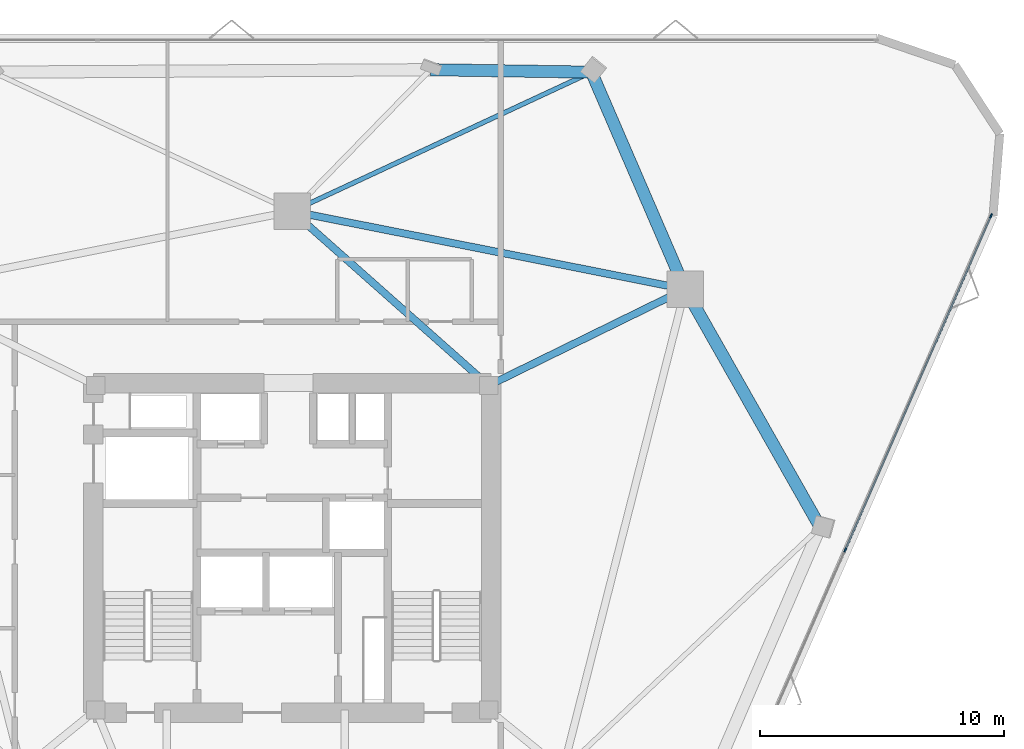
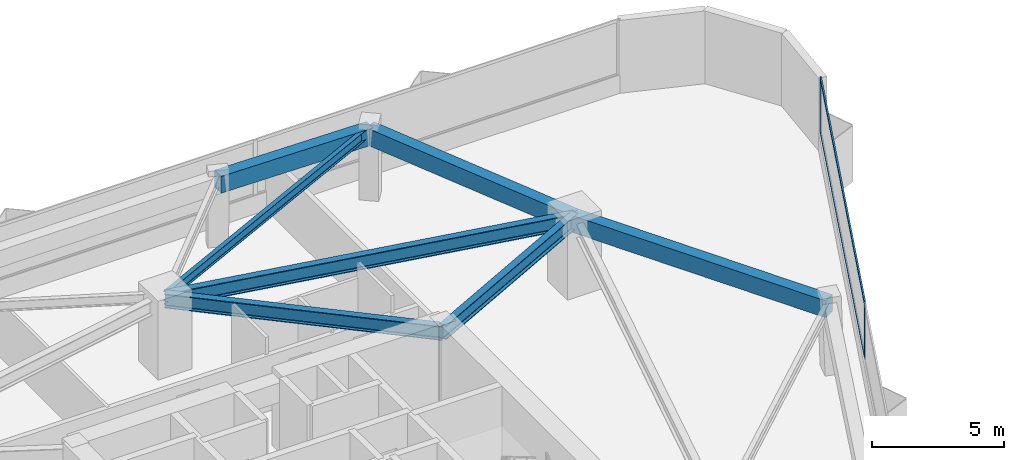
# One storey, part 7 of 14: 7 beams, 4 members, 1 element without a shape of its own.
"""IFC4 building model written with IfcOpenShell, lengths in metres."""

from ifc_helpers import new_model, si_unit, direction, frame, origin, origin_2d, place, context, subcontext, project, spatial, rectangle, i_section, extrude, material, layer, layer_set, material_profile, profile_set, type_object, element, aggregate, save


model = new_model("IFC4")

# Units and contexts
model_context = context("Model", 3, precision=1e-05, world=origin(), true_north=direction((0.0, 1.0)))
body_context = subcontext(model_context, "Body", "Model", "MODEL_VIEW")
ifc_project = project(units=[si_unit("LENGTHUNIT", "METRE"), si_unit("AREAUNIT", "SQUARE_METRE"), si_unit("VOLUMEUNIT", "CUBIC_METRE"), si_unit("PLANEANGLEUNIT", "RADIAN"), si_unit("MASSUNIT", "GRAM", prefix="KILO")], contexts=[model_context])

# Site, building, storey
site_placement = place(None, origin())
site = spatial("IfcSite", under=ifc_project, at=site_placement, CompositionType="ELEMENT")
building_placement = place(site_placement, origin())
building = spatial("IfcBuilding", under=site, at=building_placement, Name="Talyreon Biosciences Tower", CompositionType="ELEMENT")
storey_placement = place(building_placement, frame((0.0, 0.0, 141.800048828125)))
storey = spatial("IfcBuildingStorey", under=building, at=storey_placement, Name="L37", CompositionType="ELEMENT", Elevation=141.800048828125)

# Curtain wall, members
ifc_material_1 = material(Name="Thermally broken aluminium and low-E glazing", Category="aluminium")
ifc_layer = layer(ifc_material_1, 0.18505859375)
ifc_layer_set = layer_set([ifc_layer], Name="Thermally broken aluminium and low-E glazing")
curtain_wall_type = type_object("IfcCurtainWallType", Name="CurtainWall_Zone3Bioprocess", PredefinedType="NOTDEFINED", material=ifc_layer_set)
curtain_wall_placement = place(storey_placement, origin())
curtain_wall = element("IfcCurtainWall", 1, at=curtain_wall_placement, inside=storey, type_object=curtain_wall_type, Name="L37 Unitised Curtain Wall FCW-L37-08", PredefinedType="NOTDEFINED")
ifc_material_2 = material(Name="Anodised thermally broken aluminium", Category="aluminium")
ifc_material_profile_1 = material_profile(ifc_material_2, rectangle(XDim=0.06494140625, YDim=0.179931640625, at=origin_2d()), Name="ALUM MULLION 65x180")
ifc_profile_set_1 = profile_set([ifc_material_profile_1], Name="Anodised thermally broken aluminium")
member_type_1 = type_object("IfcMemberType", Name="CWMullion_65x180", PredefinedType="MULLION", material=ifc_profile_set_1)
member_1_placement = place(storey_placement, frame((94.637451171875, 81.609130859375, 0.81005859375), z_axis=(0.0, 0.0, 1.0), x_axis=(0.916566441856, -0.399882429801, 0.0)))
member_1 = element("IfcMember", 2, at=member_1_placement, type_object=member_type_1, Name="CW4 mullion 1", PredefinedType="MULLION", context=body_context, shape_type="SweptSolid", body=[
    extrude(rectangle(XDim=0.06494140625, YDim=0.179931640625, at=origin_2d()), origin(), (0.0, 0.0, 1.0), 2.56494140625),
])
member_2_placement = place(storey_placement, frame((88.6611328125, 67.910400390625, 0.81005859375), z_axis=(0.0, 0.0, 1.0), x_axis=(0.916566441856, -0.399882429801, 0.0)))
member_2 = element("IfcMember", 3, at=member_2_placement, type_object=member_type_1, Name="CW4 mullion 2", PredefinedType="MULLION", context=body_context, shape_type="SweptSolid", body=[
    extrude(rectangle(XDim=0.06494140625, YDim=0.179931640625, at=origin_2d()), origin(), (0.0, 0.0, 1.0), 2.56494140625),
])
ifc_material_profile_2 = material_profile(ifc_material_2, rectangle(XDim=0.06494140625, YDim=0.139892578125, at=origin_2d()), Name="ALUM TRANSOM 65x140")
ifc_profile_set_2 = profile_set([ifc_material_profile_2], Name="Anodised thermally broken aluminium")
member_type_2 = type_object("IfcMemberType", Name="CWTransom_65x140", PredefinedType="USERDEFINED", material=ifc_profile_set_2)
member_3_placement = place(storey_placement, frame((94.62451171875, 81.5791015625, 0.842529296875), z_axis=(-0.39988306059, -0.916566166653, 0.0), x_axis=(0.916566166653, -0.39988306059, 0.0)))
member_3 = element("IfcMember", 4, at=member_3_placement, type_object=member_type_2, Name="CW4 transom 1.1", ObjectType="TRANSOM", PredefinedType="USERDEFINED", context=body_context, shape_type="SweptSolid", body=[
    extrude(rectangle(XDim=0.06494140625, YDim=0.139892578125, at=origin_2d()), origin(), (0.0, 0.0, 1.0), 14.88037109375),
])
member_4_placement = place(storey_placement, frame((94.62451171875, 81.5791015625, 3.342529296875), z_axis=(-0.39988306059, -0.916566166653, 0.0), x_axis=(0.916566166653, -0.39988306059, 0.0)))
member_4 = element("IfcMember", 5, at=member_4_placement, type_object=member_type_2, Name="CW4 transom 1.2", ObjectType="TRANSOM", PredefinedType="USERDEFINED", context=body_context, shape_type="SweptSolid", body=[
    extrude(rectangle(XDim=0.06494140625, YDim=0.139892578125, at=origin_2d()), origin(), (0.0, 0.0, 1.0), 14.88037109375),
])
aggregate(curtain_wall, [member_1, member_2, member_3, member_4])

# Beams
ifc_material_3 = material(Name="Precast concrete C45/55", Category="concrete")
ifc_material_profile_3 = material_profile(ifc_material_3, rectangle(XDim=0.5, YDim=0.780029296875, at=origin_2d()), Name="RCB 500x780")
ifc_profile_set_3 = profile_set([ifc_material_profile_3], Name="Precast concrete C45/55")
beam_type_1 = type_object("IfcBeamType", Name="ExpressedSpandrel_500x780", PredefinedType="SPANDREL", material=ifc_profile_set_3)
beam_1_placement = place(storey_placement, frame((87.633544921875, 68.845947265625, 2.98486328125), z_axis=(-0.493331745028, 0.869841243761, 0.0), x_axis=(-0.869841243761, -0.493331745028, 0.0)))
element("IfcBeam", 6, at=beam_1_placement, inside=storey, type_object=beam_type_1, Name="L37 Expressed Horizontal Concrete Spandrel 04", PredefinedType="SPANDREL", context=body_context, shape_type="SweptSolid", body=[
    extrude(rectangle(XDim=0.5, YDim=0.780029296875, at=origin_2d()), origin(), (0.0, 0.0, 1.0), 11.2119140625),
])
beam_2_placement = place(storey_placement, frame((82.102294921875, 78.5986328125, 2.98486328125), z_axis=(-0.396448568558, 0.918056933141, 0.0), x_axis=(-0.918056933141, -0.396448568558, 0.0)))
element("IfcBeam", 7, at=beam_2_placement, inside=storey, type_object=beam_type_1, Name="L37 Expressed Horizontal Concrete Spandrel 05", PredefinedType="SPANDREL", context=body_context, shape_type="SweptSolid", body=[
    extrude(rectangle(XDim=0.5, YDim=0.780029296875, at=origin_2d()), origin(), (0.0, 0.0, 1.0), 9.686767578125),
])
beam_3_placement = place(storey_placement, frame((78.261962890625, 87.49169921875, 2.98486328125), z_axis=(-0.999885667905, 0.015121214205, 0.0), x_axis=(-0.015121214205, -0.999885667905, 0.0)))
element("IfcBeam", 8, at=beam_3_placement, inside=storey, type_object=beam_type_1, Name="L37 Expressed Horizontal Concrete Spandrel 06", PredefinedType="SPANDREL", context=body_context, shape_type="SweptSolid", body=[
    extrude(rectangle(XDim=0.5, YDim=0.780029296875, at=origin_2d()), origin(), (0.0, 0.0, 1.0), 6.603515625),
])
ifc_material_4 = material(Name="Steel SM355", Category="steel")
ifc_material_profile_4 = material_profile(ifc_material_4, i_section(OverallWidth=0.300048828125, OverallDepth=0.64990234375, WebThickness=0.01611328125, FlangeThickness=0.031005859375, FilletRadius=0.027099609375, at=origin_2d()), Name="HE650B")
ifc_profile_set_4 = profile_set([ifc_material_profile_4], Name="Steel SM355")
beam_type_2 = type_object("IfcBeamType", Name="SteelBeam_HE650B", PredefinedType="BEAM", material=ifc_profile_set_4)
beam_4_placement = place(storey_placement, frame((82.102294921875, 78.5986328125, 3.050048828125), z_axis=(-0.980933730698, 0.194342522311, 0.0), x_axis=(-0.194342522311, -0.980933730698, 0.0)))
element("IfcBeam", 9, at=beam_4_placement, inside=storey, type_object=beam_type_2, Name="L37 Mega-Ring Girder 3", PredefinedType="BEAM", context=body_context, shape_type="SweptSolid", body=[
    extrude(i_section(OverallWidth=0.300048828125, OverallDepth=0.64990234375, WebThickness=0.01611328125, FlangeThickness=0.031005859375, FilletRadius=0.027099609375, at=origin_2d()), origin(), (0.0, 0.0, 1.0), 16.415283203125),
])
beam_5_placement = place(storey_placement, frame((74.050048828125, 74.64990234375, 3.050048828125), z_axis=(0.897852360314, 0.440296648952, 0.0), x_axis=(-0.440296648952, 0.897852360314, 0.0)))
element("IfcBeam", 10, at=beam_5_placement, inside=storey, type_object=beam_type_2, Name="L37 Radial Primary Girder 3", PredefinedType="BEAM", context=body_context, shape_type="SweptSolid", body=[
    extrude(i_section(OverallWidth=0.300048828125, OverallDepth=0.64990234375, WebThickness=0.01611328125, FlangeThickness=0.031005859375, FilletRadius=0.027099609375, at=origin_2d()), origin(), (0.0, 0.0, 1.0), 8.96826171875),
])
beam_6_placement = place(storey_placement, frame((74.050048828125, 74.64990234375, 3.050048828125), z_axis=(-0.748178733955, 0.663497235908, 0.0), x_axis=(-0.663497235908, -0.748178733955, 0.0)))
element("IfcBeam", 11, at=beam_6_placement, inside=storey, type_object=beam_type_2, Name="L37 Radial Primary Girder 4", PredefinedType="BEAM", context=body_context, shape_type="SweptSolid", body=[
    extrude(i_section(OverallWidth=0.300048828125, OverallDepth=0.64990234375, WebThickness=0.01611328125, FlangeThickness=0.031005859375, FilletRadius=0.027099609375, at=origin_2d()), origin(), (0.0, 0.0, 1.0), 10.759521484375),
])
ifc_material_profile_5 = material_profile(ifc_material_4, i_section(OverallWidth=0.18994140625, OverallDepth=0.449951171875, WebThickness=0.009521484375, FlangeThickness=0.0146484375, FilletRadius=0.02099609375, at=origin_2d()), Name="IPE450")
ifc_profile_set_5 = profile_set([ifc_material_profile_5], Name="Steel SM355")
beam_type_3 = type_object("IfcBeamType", Name="SteelJoist_IPE450", PredefinedType="JOIST", material=ifc_profile_set_5)
beam_7_placement = place(storey_placement, frame((66.0, 81.788818359375, 3.14990234375), z_axis=(0.906731226018, 0.421709003655, 0.0), x_axis=(-0.421709003655, 0.906731226018, 0.0)))
element("IfcBeam", 12, at=beam_7_placement, inside=storey, type_object=beam_type_3, Name="L37 Radial Composite Floor Joist PC-N1", PredefinedType="JOIST", context=body_context, shape_type="SweptSolid", body=[
    extrude(i_section(OverallWidth=0.18994140625, OverallDepth=0.449951171875, WebThickness=0.009521484375, FlangeThickness=0.0146484375, FilletRadius=0.02099609375, at=origin_2d()), origin(), (0.0, 0.0, 1.0), 13.523193359375),
])

save(model, "model.ifc")
